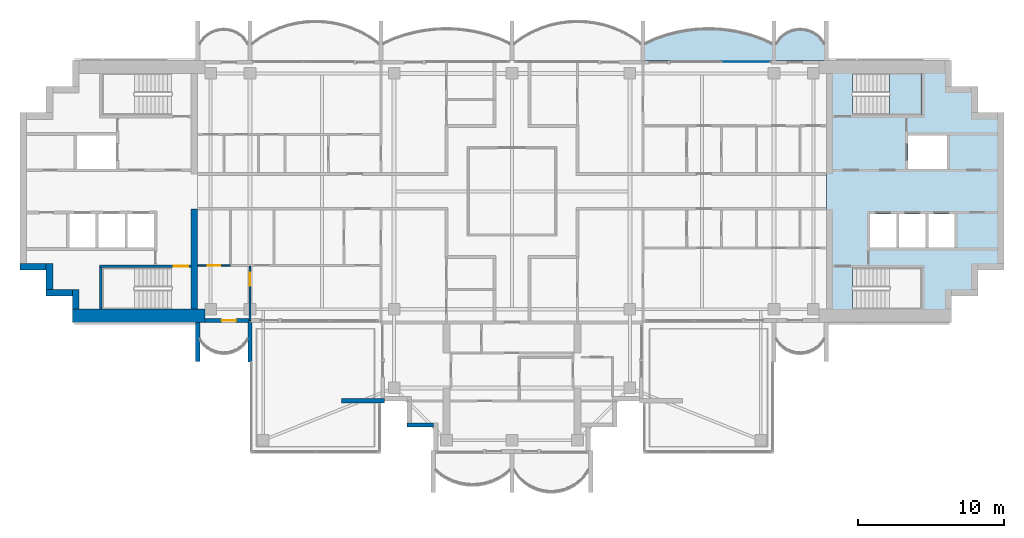
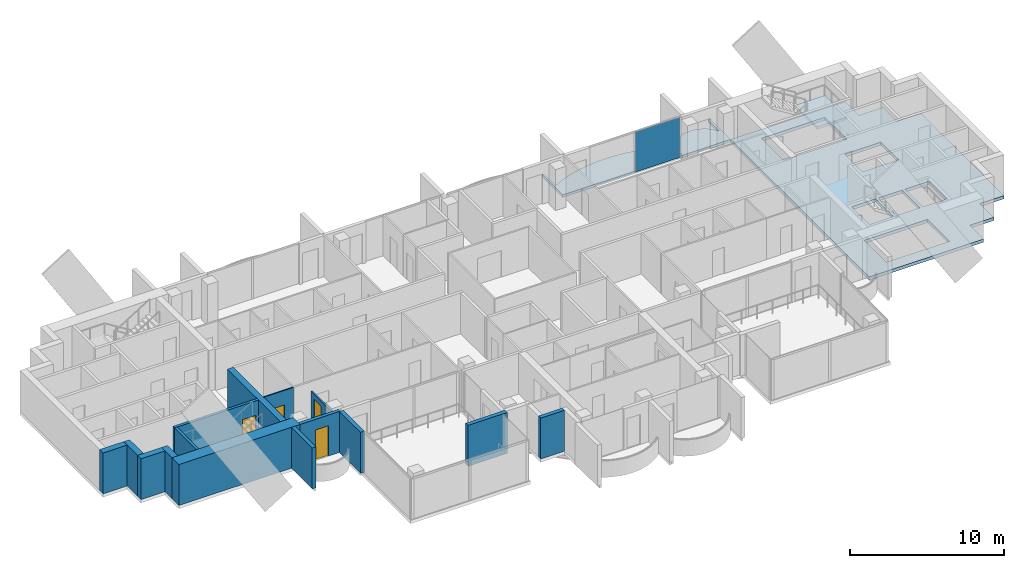
# One storey, part 6 of 16: 15 walls, 4 doors, 4 slabs, 1 plate, 4 openings, 2 elements without a shape of their own.
"""IFC4 building model written with IfcOpenShell, lengths in metres."""

from ifc_helpers import new_model, si_unit, direction, frame, frame_2d, origin, origin_2d, place, context, subcontext, project, spatial, polyline, rectangle, outline, extrude, material, layer, layer_set, type_object, element, fill, aggregate, save


model = new_model("IFC4")

# Units and contexts
model_context = context("Model", 3, precision=1e-05, world=origin(), true_north=direction((0.0, 1.0)))
body_context = subcontext(model_context, "Body", "Model", "MODEL_VIEW")
ifc_project = project(units=[si_unit("LENGTHUNIT", "METRE"), si_unit("AREAUNIT", "SQUARE_METRE"), si_unit("VOLUMEUNIT", "CUBIC_METRE"), si_unit("PLANEANGLEUNIT", "RADIAN"), si_unit("MASSUNIT", "GRAM", prefix="KILO")], contexts=[model_context])

# Site, building, storey
site_placement = place(None, origin())
site = spatial("IfcSite", under=ifc_project, at=site_placement, CompositionType="ELEMENT")
building_placement = place(site_placement, origin())
building = spatial("IfcBuilding", under=site, at=building_placement, Name="Perihelion Cross Residences", CompositionType="ELEMENT")
storey_placement = place(building_placement, frame((0.0, 0.0, 250.0)))
storey = spatial("IfcBuildingStorey", under=building, at=storey_placement, Name="L63", CompositionType="ELEMENT", Elevation=250.0)

# Slabs
ifc_material_1 = material(Name="Concrete C40/50", Category="concrete")
ifc_layer_1 = layer(ifc_material_1, 0.199951171875)
ifc_layer_set_1 = layer_set([ifc_layer_1], Name="Balcony slab 200")
slab_type_1 = type_object("IfcSlabType", Name="Balcony slab 200", PredefinedType="FLOOR", material=ifc_layer_set_1)
slab_1_placement = place(storey_placement, frame((0.0, 0.0, -0.199951171875)))
element("IfcSlab", 1, at=slab_1_placement, inside=storey, type_object=slab_type_1, Name="Slab BK1 L63 east side north bay 1 balcony", PredefinedType="FLOOR", context=body_context, shape_type="SweptSolid", body=[
    extrude(outline(polyline([(21.60009765625, 9.0), (18.0, 9.0), (18.0, 11.699951171875), (18.14990234375, 11.699951171875), (18.14990234375, 10.199951171875), (18.425048828125, 10.568603515625), (18.699951171875, 10.806396484375), (18.97509765625, 10.96875), (19.25, 11.07568359375), (19.52490234375, 11.136962890625), (19.800048828125, 11.156982421875), (20.074951171875, 11.136962890625), (20.35009765625, 11.07568359375), (20.625, 10.96875), (20.89990234375, 10.806396484375), (21.175048828125, 10.568603515625), (21.449951171875, 10.199951171875), (21.449951171875, 11.699951171875), (21.60009765625, 11.699951171875), (21.60009765625, 9.0)])), origin(), (0.0, 0.0, 1.0), 0.199951171875),
])
slab_2_placement = place(storey_placement, frame((0.0, 0.0, -0.199951171875)))
element("IfcSlab", 2, at=slab_2_placement, inside=storey, type_object=slab_type_1, Name="Slab BK1 L63 east side north bay 2 balcony", PredefinedType="FLOOR", context=body_context, shape_type="SweptSolid", body=[
    extrude(outline(polyline([(18.0, 9.0), (9.0, 9.0), (9.0, 11.699951171875), (9.14990234375, 11.699951171875), (9.14990234375, 10.199951171875), (9.875, 10.51708984375), (10.60009765625, 10.7685546875), (11.324951171875, 10.959716796875), (12.050048828125, 11.093994140625), (12.77490234375, 11.173583984375), (13.5, 11.199951171875), (14.22509765625, 11.173583984375), (14.949951171875, 11.093994140625), (15.675048828125, 10.959716796875), (16.39990234375, 10.7685546875), (17.125, 10.51708984375), (17.85009765625, 10.199951171875), (17.85009765625, 11.699951171875), (18.0, 11.699951171875), (18.0, 9.0)])), origin(), (0.0, 0.0, 1.0), 0.199951171875),
])

# Curtain wall, plate
ifc_material_2 = material(Name="Bronze anodised aluminium, tinted glazing", Category="aluminium")
curtain_wall_type = type_object("IfcCurtainWallType", Name="CW1", PredefinedType="NOTDEFINED", material=ifc_material_2)
curtain_wall_placement = place(storey_placement, origin())
curtain_wall = element("IfcCurtainWall", 3, at=curtain_wall_placement, inside=storey, type_object=curtain_wall_type, Name="Curtain wall CW1 L63 east side north bay 2", PredefinedType="NOTDEFINED")
ifc_material_3 = material(Name="Tinted laminated glass", Category="glass")
ifc_layer_2 = layer(ifc_material_3, 0.028076171875)
ifc_layer_set_2 = layer_set([ifc_layer_2], Name="CW1 panel")
plate_type = type_object("IfcPlateType", Name="CW1 panel", PredefinedType="CURTAIN_PANEL", material=ifc_layer_set_2)
plate_placement = place(storey_placement, frame((16.06005859375, 8.89990234375, 0.0), z_axis=(0.0, 0.0, 1.0), x_axis=(-1.0, 0.0, 0.0)))
plate = element("IfcPlate", 4, at=plate_placement, type_object=plate_type, Name="CW1 panel 1", PredefinedType="CURTAIN_PANEL", context=body_context, shape_type="SweptSolid", body=[
    extrude(rectangle(XDim=3.360107421875, YDim=0.028076171875, at=origin_2d()), origin(), (0.0, 0.0, 1.0), 3.18994140625),
])
aggregate(curtain_wall, [plate])

# Slab
ifc_material_4 = material(Name="Concrete C40/50", Category="concrete")
ifc_layer_3 = layer(ifc_material_4, 0.25)
ifc_layer_set_3 = layer_set([ifc_layer_3], Name="Core floor slab 250")
slab_type_2 = type_object("IfcSlabType", Name="Core floor slab 250", PredefinedType="FLOOR", material=ifc_layer_set_3)
slab_3_placement = place(storey_placement, frame((0.0, 0.0, -0.25)))
element("IfcSlab", 5, at=slab_3_placement, inside=storey, type_object=slab_type_2, Name="East core floor slab", PredefinedType="FLOOR", context=body_context, shape_type="SweptSolid", body=[
    extrude(outline(polyline([(30.199951171875, 7.199951171875), (32.0, 7.199951171875), (32.0, 5.39990234375), (33.800048828125, 5.39990234375), (33.800048828125, -5.39990234375), (32.0, -5.39990234375), (32.0, -7.199951171875), (30.199951171875, -7.199951171875), (30.199951171875, -9.0), (21.60009765625, -9.0), (21.60009765625, 9.0), (30.199951171875, 9.0), (30.199951171875, 7.199951171875)]), holes=[polyline([(28.14990234375, -8.10009765625), (28.14990234375, -5.25), (23.405029296875, -5.25), (23.405029296875, -8.10009765625), (28.14990234375, -8.10009765625)]), polyline([(24.60009765625, -1.550048828125), (24.60009765625, -3.85009765625), (26.39990234375, -3.85009765625), (26.39990234375, -1.550048828125), (24.60009765625, -1.550048828125)]), polyline([(26.60009765625, -1.550048828125), (26.60009765625, -3.85009765625), (28.39990234375, -3.85009765625), (28.39990234375, -1.550048828125), (26.60009765625, -1.550048828125)]), polyline([(28.60009765625, -3.85009765625), (30.39990234375, -3.85009765625), (30.39990234375, -1.550048828125), (28.60009765625, -1.550048828125), (28.60009765625, -3.85009765625)]), polyline([(27.199951171875, 3.85009765625), (27.199951171875, 1.550048828125), (29.89990234375, 1.550048828125), (29.89990234375, 3.85009765625), (27.199951171875, 3.85009765625)]), polyline([(23.405029296875, 5.25), (28.14990234375, 5.25), (28.14990234375, 8.10009765625), (23.405029296875, 8.10009765625), (23.405029296875, 5.25)])]), origin(), (0.0, 0.0, 1.0), 0.25),
])

# Stair, slab
ifc_material_5 = material(Name="Concrete C40/50", Category="concrete")
stair_type = type_object("IfcStairType", Name="Exit stair, half-turn", PredefinedType="HALF_TURN_STAIR", material=ifc_material_5)
stair_placement = place(storey_placement, origin())
stair = element("IfcStair", 6, at=stair_placement, inside=storey, type_object=stair_type, Name="L63 East core exit stair 1", PredefinedType="HALF_TURN_STAIR")
ifc_material_6 = material(Name="Concrete C40/50", Category="concrete")
ifc_layer_4 = layer(ifc_material_6, 0.199951171875)
ifc_layer_set_4 = layer_set([ifc_layer_4], Name="Exit stair landing 200")
slab_type_3 = type_object("IfcSlabType", Name="Exit stair landing 200", PredefinedType="LANDING", material=ifc_layer_set_4)
slab_4_placement = place(storey_placement, frame((0.0, 0.0, 1.550048828125)))
slab_4 = element("IfcSlab", 7, at=slab_4_placement, type_object=slab_type_3, Name="ST-E1 landing 1", PredefinedType="LANDING", context=body_context, shape_type="SweptSolid", body=[
    extrude(outline(polyline([(25.919921875, 5.25), (28.14990234375, 5.25), (28.14990234375, 8.10009765625), (25.919921875, 8.10009765625), (25.919921875, 5.25)])), origin(), (0.0, 0.0, 1.0), 0.199951171875),
])
aggregate(stair, [slab_4])

# Wall, opening, door
ifc_material_7 = material(Name="Concrete C30/37, bronze-clad", Category="concrete")
ifc_layer_5 = layer(ifc_material_7, 0.25)
ifc_layer_set_5 = layer_set([ifc_layer_5], Name="Bronze-clad pier wall 250")
wall_type_1 = type_object("IfcWallType", Name="Bronze-clad pier wall 250", PredefinedType="SOLIDWALL", material=ifc_layer_set_5)
wall_1_placement = place(storey_placement, frame((-21.10009765625, -8.875, 0.0), z_axis=(0.0, 0.0, 1.0), x_axis=(1.0, 0.0, 0.0)))
wall_1 = element("IfcWall", 8, at=wall_1_placement, inside=storey, type_object=wall_type_1, Name="Wall FW1 L63 west side south bay 1 pier", PredefinedType="SOLIDWALL", context=body_context, shape_type="SweptSolid", body=[
    extrude(rectangle(XDim=3.0400390625, YDim=0.25, at=frame_2d((1.52001953125, 0.0))), origin(), (0.0, 0.0, 1.0), 3.25),
])
opening_1_placement = place(wall_1_placement, frame((1.14990234375, 0.0, 0.0)))
opening_1 = element("IfcOpeningElement", 9, at=opening_1_placement, cuts=wall_1, Name="Opening L63.E07", PredefinedType="OPENING", context=body_context, shape_type="SweptSolid", body=[
    extrude(rectangle(XDim=1.0, YDim=2.39990234375, at=frame_2d((0.5, 1.199951171875))), frame((0.0, 0.135009765625, 0.0), z_axis=(0.0, -1.0, 0.0), x_axis=(1.0, 0.0, 0.0)), (0.0, 0.0, 1.0), 0.27001953125),
])
ifc_material_8 = material(Name="Bronze anodised aluminium, glazed", Category="aluminium")
door_type_1 = type_object("IfcDoorType", Name="Balcony door 1000 x 2400", OperationType="NOTDEFINED", PredefinedType="DOOR", material=ifc_material_8)
door_1_placement = place(opening_1_placement, origin())
door_1 = element("IfcDoor", 10, at=door_1_placement, inside=storey, type_object=door_type_1, Name="Door L63.E07 west side south bay 1", OperationType="SINGLE_SWING_LEFT", OverallHeight=2.39990234375, OverallWidth=1.0, PredefinedType="DOOR", context=body_context, shape_type="SweptSolid", body=[
    extrude(rectangle(XDim=1.0, YDim=2.39990234375, at=frame_2d((0.5, 1.199951171875))), frame((0.0, 0.02490234375, 0.0), z_axis=(0.0, -1.0, 0.0), x_axis=(1.0, 0.0, 0.0)), (0.0, 0.0, 1.0), 0.050048828125),
])
fill(opening_1, door_1)

# Walls
ifc_material_9 = material(Name="Concrete C30/37, bronze-clad", Category="concrete")
ifc_layer_6 = layer(ifc_material_9, 0.300048828125)
ifc_layer_set_6 = layer_set([ifc_layer_6], Name="Bronze-clad serration wall 300")
wall_type_2 = type_object("IfcWallType", Name="Bronze-clad serration wall 300", PredefinedType="SOLIDWALL", material=ifc_layer_set_6)
wall_2_placement = place(storey_placement, frame((-7.199951171875, -16.050048828125, 0.0), z_axis=(0.0, 0.0, 1.0), x_axis=(1.0, 0.0, 0.0)))
element("IfcWall", 11, at=wall_2_placement, inside=storey, type_object=wall_type_2, Name="Wall SR1 L63 south corner south-west 3", PredefinedType="SOLIDWALL", context=body_context, shape_type="SweptSolid", body=[
    extrude(rectangle(XDim=1.800048828125, YDim=0.300048828125, at=frame_2d((0.89990234375, 0.0))), origin(), (0.0, 0.0, 1.0), 3.25),
])
ifc_material_10 = material(Name="Concrete C60/75", Category="concrete")
ifc_layer_7 = layer(ifc_material_10, 0.449951171875)
ifc_layer_set_7 = layer_set([ifc_layer_7], Name="Core wall, inner 450")
wall_type_3 = type_object("IfcWallType", Name="Core wall, inner 450", PredefinedType="SHEAR", material=ifc_layer_set_7)
wall_3_placement = place(storey_placement, frame((-21.824951171875, -8.10009765625, 0.0), z_axis=(0.0, 0.0, 1.0), x_axis=(0.0, 1.0, 0.0)))
element("IfcWall", 12, at=wall_3_placement, inside=storey, type_object=wall_type_3, Name="West core core wall, inner", PredefinedType="SHEAR", context=body_context, shape_type="SweptSolid", body=[
    extrude(rectangle(XDim=6.900146484375, YDim=0.449951171875, at=frame_2d((3.4501953125, 0.0))), origin(), (0.0, 0.0, 1.0), 3.25),
])
ifc_material_11 = material(Name="Concrete C60/75", Category="concrete")
ifc_layer_8 = layer(ifc_material_11, 0.449951171875)
ifc_layer_set_8 = layer_set([ifc_layer_8], Name="Core wall, outer 450")
wall_type_4 = type_object("IfcWallType", Name="Core wall, outer 450", PredefinedType="SHEAR", material=ifc_layer_set_8)
wall_4_placement = place(storey_placement, frame((-29.97509765625, -8.10009765625, 0.0), z_axis=(0.0, 0.0, 1.0), x_axis=(0.0, 1.0, 0.0)))
element("IfcWall", 13, at=wall_4_placement, inside=storey, type_object=wall_type_4, Name="West core core wall, outer", PredefinedType="SHEAR", context=body_context, shape_type="SweptSolid", body=[
    extrude(rectangle(XDim=1.35009765625, YDim=0.449951171875, at=frame_2d((0.675048828125, 0.0))), origin(), (0.0, 0.0, 1.0), 3.25),
])
for number, where, z_axis, x_axis, name in (
    (14, (-32.0, -6.97509765625, 0.0), (0.0, 0.0, 1.0), (1.0, 0.0, 0.0), "West core core wall, outer"),
    (15, (-31.77490234375, -6.75, 0.0), (0.0, 0.0, 1.0), (0.0, 1.0, 0.0), "West core core wall, outer"),
    (16, (-33.800048828125, -5.175048828125, 0.0), (0.0, 0.0, 1.0), (1.0, 0.0, 0.0), "West core core wall, outer"),
):
    element("IfcWall", number, at=place(storey_placement, frame(where, z_axis=z_axis, x_axis=x_axis)), inside=storey, type_object=wall_type_4, Name=name, PredefinedType="SHEAR", context=body_context, shape_type="SweptSolid", body=[
        extrude(rectangle(XDim=1.800048828125, YDim=0.449951171875, at=frame_2d((0.89990234375, 0.0))), origin(), (0.0, 0.0, 1.0), 3.25),
    ])
ifc_material_12 = material(Name="Concrete C60/75", Category="concrete")
ifc_layer_9 = layer(ifc_material_12, 0.89990234375)
ifc_layer_set_9 = layer_set([ifc_layer_9], Name="Core wall, outer 900")
wall_type_5 = type_object("IfcWallType", Name="Core wall, outer 900", PredefinedType="SHEAR", material=ifc_layer_set_9)
wall_5_placement = place(storey_placement, frame((-30.199951171875, -8.550048828125, 0.0), z_axis=(0.0, 0.0, 1.0), x_axis=(1.0, 0.0, 0.0)))
element("IfcWall", 17, at=wall_5_placement, inside=storey, type_object=wall_type_5, Name="West core core wall, outer", PredefinedType="SHEAR", context=body_context, shape_type="SweptSolid", body=[
    extrude(rectangle(XDim=9.099853515625, YDim=0.89990234375, at=frame_2d((4.5498046875, 0.0))), origin(), (0.0, 0.0, 1.0), 3.25),
])

# Wall, opening, door
ifc_material_13 = material(Name="Plasterboard partition")
ifc_layer_10 = layer(ifc_material_13, 0.1201171875)
ifc_layer_set_10 = layer_set([ifc_layer_10], Name="Partition wall 120")
wall_type_6 = type_object("IfcWallType", Name="Partition wall 120", PredefinedType="PARTITIONING", material=ifc_layer_set_10)
wall_6_placement = place(storey_placement, frame((-18.0, -8.919921875, 0.0), z_axis=(0.0, 0.0, 1.0), x_axis=(0.0, 1.0, 0.0)))
wall_6 = element("IfcWall", 18, at=wall_6_placement, inside=storey, type_object=wall_type_6, Name="Partition L63 W057", PredefinedType="PARTITIONING", context=body_context, shape_type="SweptSolid", body=[
    extrude(rectangle(XDim=3.760009765625, YDim=0.1201171875, at=frame_2d((1.8798828125, 0.0))), origin(), (0.0, 0.0, 1.0), 2.49609375),
])
opening_2_placement = place(wall_6_placement, frame((2.43994140625, 0.0, 0.0)))
opening_2 = element("IfcOpeningElement", 19, at=opening_2_placement, cuts=wall_6, Name="Opening L63.A29", PredefinedType="OPENING", context=body_context, shape_type="SweptSolid", body=[
    extrude(rectangle(XDim=0.89990234375, YDim=2.10009765625, at=frame_2d((0.449951171875, 1.050048828125))), frame((0.0, 0.070068359375, 0.0), z_axis=(0.0, -1.0, 0.0), x_axis=(1.0, 0.0, 0.0)), (0.0, 0.0, 1.0), 0.14013671875),
])
ifc_material_14 = material(Name="Timber door leaf", Category="wood")
door_type_2 = type_object("IfcDoorType", Name="Interior room door 900 x 2100", OperationType="SINGLE_SWING_LEFT", PredefinedType="DOOR", material=ifc_material_14)
door_2_placement = place(opening_2_placement, origin())
door_2 = element("IfcDoor", 20, at=door_2_placement, inside=storey, type_object=door_type_2, Name="Door L63.A29", OperationType="SINGLE_SWING_RIGHT", OverallHeight=2.10009765625, OverallWidth=0.89990234375, PredefinedType="DOOR", context=body_context, shape_type="SweptSolid", body=[
    extrude(rectangle(XDim=0.89990234375, YDim=2.10009765625, at=frame_2d((0.449951171875, 1.050048828125))), frame((0.0, 0.02490234375, 0.0), z_axis=(0.0, -1.0, 0.0), x_axis=(1.0, 0.0, 0.0)), (0.0, 0.0, 1.0), 0.050048828125),
])
fill(opening_2, door_2)

# Walls
ifc_material_15 = material(Name="Precast concrete C50/60", Category="concrete")
ifc_layer_11 = layer(ifc_material_15, 0.300048828125)
ifc_layer_set_11 = layer_set([ifc_layer_11], Name="Precast concrete C50/60 blade wall 300")
wall_type_7 = type_object("IfcWallType", Name="Precast concrete C50/60 blade wall 300", PredefinedType="SOLIDWALL", material=ifc_layer_set_11)
wall_7_placement = place(storey_placement, frame((-21.60009765625, -9.0, 0.0), z_axis=(0.0, 0.0, 1.0), x_axis=(0.0, -1.0, 0.0)))
element("IfcWall", 21, at=wall_7_placement, inside=storey, type_object=wall_type_7, Name="Wall BL1 L63 no. 3", PredefinedType="SOLIDWALL", context=body_context, shape_type="SweptSolid", body=[
    extrude(rectangle(XDim=2.699951171875, YDim=0.300048828125, at=frame_2d((1.35009765625, 0.0))), origin(), (0.0, 0.0, 1.0), 3.25),
])
wall_8_placement = place(storey_placement, frame((-18.0, -9.0, 0.0), z_axis=(0.0, 0.0, 1.0), x_axis=(0.0, -1.0, 0.0)))
element("IfcWall", 22, at=wall_8_placement, inside=storey, type_object=wall_type_7, Name="Wall BL1 L63 no. 1", PredefinedType="SOLIDWALL", context=body_context, shape_type="SweptSolid", body=[
    extrude(rectangle(XDim=2.739990234375, YDim=0.300048828125, at=frame_2d((1.3701171875, 0.0))), origin(), (0.0, 0.0, 1.0), 3.25),
])
wall_9_placement = place(storey_placement, frame((-8.75, -14.39990234375, 0.0), z_axis=(0.0, 0.0, 1.0), x_axis=(-1.0, 0.0, 0.0)))
element("IfcWall", 23, at=wall_9_placement, inside=storey, type_object=wall_type_7, Name="Wall BL1 L63 no. 6", PredefinedType="SOLIDWALL", context=body_context, shape_type="SweptSolid", body=[
    extrude(rectangle(XDim=2.949951171875, YDim=0.300048828125, at=frame_2d((1.47509765625, 0.0))), origin(), (0.0, 0.0, 1.0), 3.25),
])

# Wall, opening, door
ifc_material_16 = material(Name="Concrete C50/60", Category="concrete")
ifc_layer_12 = layer(ifc_material_16, 0.199951171875)
ifc_layer_set_12 = layer_set([ifc_layer_12], Name="Stair wall 200")
wall_type_8 = type_object("IfcWallType", Name="Stair wall 200", PredefinedType="SOLIDWALL", material=ifc_layer_set_12)
wall_10_placement = place(storey_placement, frame((-28.35009765625, -5.14990234375, 0.0), z_axis=(0.0, 0.0, 1.0), x_axis=(1.0, 0.0, 0.0)))
wall_10 = element("IfcWall", 24, at=wall_10_placement, inside=storey, type_object=wall_type_8, Name="West core stair wall", PredefinedType="SOLIDWALL", context=body_context, shape_type="SweptSolid", body=[
    extrude(rectangle(XDim=6.300048828125, YDim=0.199951171875, at=frame_2d((3.14990234375, 0.0))), origin(), (0.0, 0.0, 1.0), 3.25),
])
opening_3_placement = place(wall_10_placement, frame((5.10009765625, 0.0, 0.0)))
opening_3 = element("IfcOpeningElement", 25, at=opening_3_placement, cuts=wall_10, Name="Opening L63.C17", PredefinedType="OPENING", context=body_context, shape_type="SweptSolid", body=[
    extrude(rectangle(XDim=1.0, YDim=2.10009765625, at=frame_2d((0.5, 1.050048828125))), frame((0.0, 0.10986328125, 0.0), z_axis=(0.0, -1.0, 0.0), x_axis=(1.0, 0.0, 0.0)), (0.0, 0.0, 1.0), 0.219970703125),
])
ifc_material_17 = material(Name="Steel, powder coated", Category="steel")
door_type_3 = type_object("IfcDoorType", Name="Stair door 1000", OperationType="SINGLE_SWING_LEFT", PredefinedType="DOOR", material=ifc_material_17)
door_3_placement = place(opening_3_placement, origin())
door_3 = element("IfcDoor", 26, at=door_3_placement, inside=storey, type_object=door_type_3, Name="West core stair door", OperationType="SINGLE_SWING_LEFT", OverallHeight=2.10009765625, OverallWidth=1.0, PredefinedType="DOOR", context=body_context, shape_type="SweptSolid", body=[
    extrude(rectangle(XDim=1.0, YDim=2.10009765625, at=frame_2d((0.5, 1.050048828125))), frame((0.0, 0.02490234375, 0.0), z_axis=(0.0, -1.0, 0.0), x_axis=(1.0, 0.0, 0.0)), (0.0, 0.0, 1.0), 0.050048828125),
])
fill(opening_3, door_3)

# Wall
wall_11_placement = place(storey_placement, frame((-28.25, -8.10009765625, 0.0), z_axis=(0.0, 0.0, 1.0), x_axis=(0.0, 1.0, 0.0)))
element("IfcWall", 27, at=wall_11_placement, inside=storey, type_object=wall_type_8, Name="West core stair wall", PredefinedType="SOLIDWALL", context=body_context, shape_type="SweptSolid", body=[
    extrude(rectangle(XDim=2.85009765625, YDim=0.199951171875, at=frame_2d((1.425048828125, 0.0))), origin(), (0.0, 0.0, 1.0), 3.25),
])

# Wall, opening, door
ifc_material_18 = material(Name="Plasterboard partition")
ifc_layer_13 = layer(ifc_material_18, 0.10009765625)
ifc_layer_set_13 = layer_set([ifc_layer_13], Name="Wet room wall 100")
wall_type_9 = type_object("IfcWallType", Name="Wet room wall 100", PredefinedType="PARTITIONING", material=ifc_layer_set_13)
wall_12_placement = place(storey_placement, frame((-19.35009765625, -5.10009765625, 0.0), z_axis=(0.0, 0.0, 1.0), x_axis=(-1.0, 0.0, 0.0)))
wall_12 = element("IfcWall", 28, at=wall_12_placement, inside=storey, type_object=wall_type_9, Name="Partition L63 W056", PredefinedType="PARTITIONING", context=body_context, shape_type="SweptSolid", body=[
    extrude(rectangle(XDim=2.25, YDim=0.10009765625, at=frame_2d((1.125, 0.0))), origin(), (0.0, 0.0, 1.0), 3.25),
])
opening_4_placement = place(wall_12_placement, frame((0.699951171875, 0.0, 0.0)))
opening_4 = element("IfcOpeningElement", 29, at=opening_4_placement, cuts=wall_12, Name="Opening L63.A25", PredefinedType="OPENING", context=body_context, shape_type="SweptSolid", body=[
    extrude(rectangle(XDim=0.85009765625, YDim=2.10009765625, at=frame_2d((0.425048828125, 1.050048828125))), frame((0.0, 0.06005859375, 0.0), z_axis=(0.0, -1.0, 0.0), x_axis=(1.0, 0.0, 0.0)), (0.0, 0.0, 1.0), 0.1201171875),
])
ifc_material_19 = material(Name="Timber door leaf", Category="wood")
door_type_4 = type_object("IfcDoorType", Name="Interior bathroom door 850 x 2100", OperationType="SINGLE_SWING_LEFT", PredefinedType="DOOR", material=ifc_material_19)
door_4_placement = place(opening_4_placement, origin())
door_4 = element("IfcDoor", 30, at=door_4_placement, inside=storey, type_object=door_type_4, Name="Door L63.A25", OperationType="SINGLE_SWING_LEFT", OverallHeight=2.10009765625, OverallWidth=0.85009765625, PredefinedType="DOOR", context=body_context, shape_type="SweptSolid", body=[
    extrude(rectangle(XDim=0.85009765625, YDim=2.10009765625, at=frame_2d((0.425048828125, 1.050048828125))), frame((0.0, 0.02490234375, 0.0), z_axis=(0.0, -1.0, 0.0), x_axis=(1.0, 0.0, 0.0)), (0.0, 0.0, 1.0), 0.050048828125),
])
fill(opening_4, door_4)

save(model, "model.ifc")
